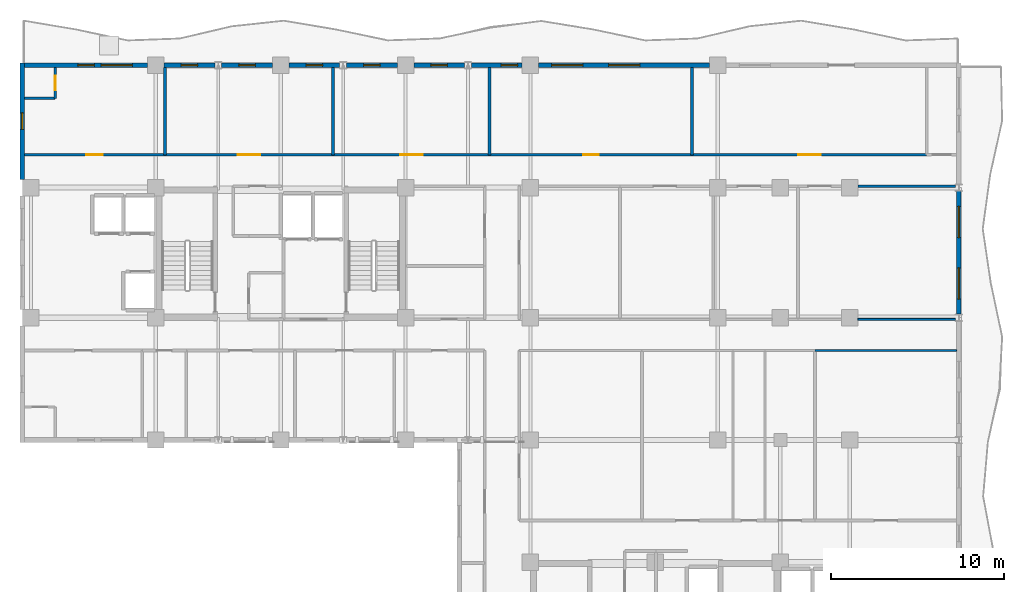
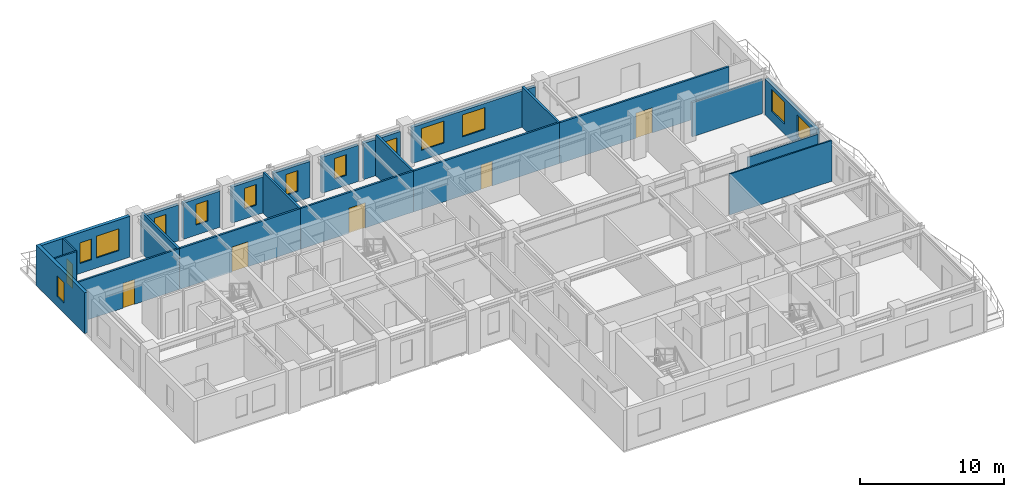
# One storey, part 9 of 13: 24 walls, 13 windows, 6 doors, 19 openings.
"""IFC4 building model written with IfcOpenShell, lengths in metres."""

from ifc_helpers import new_model, si_unit, direction, frame, frame_2d, origin, place, context, subcontext, project, spatial, rectangle, extrude, material, layer, layer_set, type_object, element, fill, save


model = new_model("IFC4")

# Units and contexts
model_context = context("Model", 3, precision=1e-05, world=origin(), true_north=direction((0.0, 1.0)))
body_context = subcontext(model_context, "Body", "Model", "MODEL_VIEW")
ifc_project = project(units=[si_unit("LENGTHUNIT", "METRE"), si_unit("AREAUNIT", "SQUARE_METRE"), si_unit("VOLUMEUNIT", "CUBIC_METRE"), si_unit("PLANEANGLEUNIT", "RADIAN"), si_unit("MASSUNIT", "GRAM", prefix="KILO")], contexts=[model_context])

# Site, building, storey
site_placement = place(None, origin())
site = spatial("IfcSite", under=ifc_project, at=site_placement, CompositionType="ELEMENT")
building_placement = place(site_placement, origin())
building = spatial("IfcBuilding", under=site, at=building_placement, Name="Kaliganga Portal Commons", CompositionType="ELEMENT")
storey_placement = place(building_placement, frame((0.0, 0.0, 212.89990234375)))
storey = spatial("IfcBuildingStorey", under=building, at=storey_placement, Name="L54", CompositionType="ELEMENT", Elevation=212.89990234375)

# Wall, openings, windows
ifc_material_1 = material(Name="Insulated Aluminium-Clad Spandrel Assembly", Category="aluminium")
ifc_layer_1 = layer(ifc_material_1, 0.260009765625)
ifc_layer_set_1 = layer_set([ifc_layer_1], Name="Insulated Aluminium-Clad Spandrel Assembly")
wall_type_1 = type_object("IfcWallType", Name="WL-EXT-SPAND-260", PredefinedType="STANDARD", material=ifc_layer_set_1)
wall_1_placement = place(storey_placement, frame((60.699951171875, 35.948974609375, 0.0), z_axis=(0.0, 0.0, 1.0), x_axis=(0.0, -1.0, 0.0)))
wall_1 = element("IfcWall", 1, at=wall_1_placement, inside=storey, type_object=wall_type_1, Name="Exterior Envelope Wall L54 P1-E01-S5", PredefinedType="STANDARD", context=body_context, shape_type="SweptSolid", body=[
    extrude(rectangle(XDim=7.097900390625, YDim=0.260009765625, at=frame_2d((3.548828125, 0.0))), origin(), (0.0, 0.0, 1.0), 3.050048828125),
])
opening_1_placement = place(wall_1_placement, frame((0.87451171875, 0.0, 0.85009765625)))
opening_1 = element("IfcOpeningElement", 2, at=opening_1_placement, cuts=wall_1, Name="Opening W-01", PredefinedType="OPENING", context=body_context, shape_type="SweptSolid", body=[
    extrude(rectangle(XDim=1.800048828125, YDim=1.85009765625, at=frame_2d((0.89990234375, 0.925048828125))), frame((0.0, 0.14013671875, 0.0), z_axis=(0.0, -1.0, 0.0), x_axis=(1.0, 0.0, 0.0)), (0.0, 0.0, 1.0), 0.280029296875),
])
opening_2_placement = place(wall_1_placement, frame((4.423583984375, 0.0, 0.85009765625)))
opening_2 = element("IfcOpeningElement", 3, at=opening_2_placement, cuts=wall_1, Name="Opening W-01", PredefinedType="OPENING", context=body_context, shape_type="SweptSolid", body=[
    extrude(rectangle(XDim=1.800048828125, YDim=1.85009765625, at=frame_2d((0.89990234375, 0.925048828125))), frame((0.0, 0.14013671875, 0.0), z_axis=(0.0, -1.0, 0.0), x_axis=(1.0, 0.0, 0.0)), (0.0, 0.0, 1.0), 0.280029296875),
])
ifc_material_2 = material(Name="Thermally Broken Aluminium and Low-E Double Glazing", Category="aluminium")
window_type_1 = type_object("IfcWindowType", Name="WIN-STD-1800", PartitioningType="DOUBLE_PANEL_VERTICAL", PredefinedType="WINDOW", material=ifc_material_2)
window_1_placement = place(opening_1_placement, origin())
window_1 = element("IfcWindow", 4, at=window_1_placement, inside=storey, type_object=window_type_1, Name="Facade Window L54-P1E01S5-00", OverallHeight=1.85009765625, OverallWidth=1.800048828125, PartitioningType="SINGLE_PANEL", PredefinedType="WINDOW", context=body_context, shape_type="SweptSolid", body=[
    extrude(rectangle(XDim=1.800048828125, YDim=1.85009765625, at=frame_2d((0.89990234375, 0.925048828125))), frame((0.0, 0.030029296875, 0.0), z_axis=(0.0, -1.0, 0.0), x_axis=(1.0, 0.0, 0.0)), (0.0, 0.0, 1.0), 0.06005859375),
])
fill(opening_1, window_1)
window_2_placement = place(opening_2_placement, origin())
window_2 = element("IfcWindow", 5, at=window_2_placement, inside=storey, type_object=window_type_1, Name="Facade Window L54-P1E01S5-01", OverallHeight=1.85009765625, OverallWidth=1.800048828125, PartitioningType="SINGLE_PANEL", PredefinedType="WINDOW", context=body_context, shape_type="SweptSolid", body=[
    extrude(rectangle(XDim=1.800048828125, YDim=1.85009765625, at=frame_2d((0.89990234375, 0.925048828125))), frame((0.0, 0.030029296875, 0.0), z_axis=(0.0, -1.0, 0.0), x_axis=(1.0, 0.0, 0.0)), (0.0, 0.0, 1.0), 0.06005859375),
])
fill(opening_2, window_2)

wall_2_placement = place(storey_placement, frame((36.47607421875, 43.199951171875, 0.0), z_axis=(0.0, 0.0, 1.0), x_axis=(1.0, 0.0, 0.0)))
wall_2 = element("IfcWall", 6, at=wall_2_placement, inside=storey, type_object=wall_type_1, Name="Exterior Envelope Wall L54 P1-E02-S2", PredefinedType="STANDARD", context=body_context, shape_type="SweptSolid", body=[
    extrude(rectangle(XDim=9.847900390625, YDim=0.260009765625, at=frame_2d((4.923828125, 0.0))), origin(), (0.0, 0.0, 1.0), 3.050048828125),
])
opening_3_placement = place(wall_2_placement, frame((0.7412109375, 0.0, 0.85009765625)))
opening_3 = element("IfcOpeningElement", 7, at=opening_3_placement, cuts=wall_2, Name="Opening W-01", PredefinedType="OPENING", context=body_context, shape_type="SweptSolid", body=[
    extrude(rectangle(XDim=1.800048828125, YDim=1.85009765625, at=frame_2d((0.89990234375, 0.925048828125))), frame((0.0, 0.14013671875, 0.0), z_axis=(0.0, -1.0, 0.0), x_axis=(1.0, 0.0, 0.0)), (0.0, 0.0, 1.0), 0.280029296875),
])
opening_4_placement = place(wall_2_placement, frame((4.02392578125, 0.0, 0.85009765625)))
opening_4 = element("IfcOpeningElement", 8, at=opening_4_placement, cuts=wall_2, Name="Opening W-01", PredefinedType="OPENING", context=body_context, shape_type="SweptSolid", body=[
    extrude(rectangle(XDim=1.800048828125, YDim=1.85009765625, at=frame_2d((0.89990234375, 0.925048828125))), frame((0.0, 0.14013671875, 0.0), z_axis=(0.0, -1.0, 0.0), x_axis=(1.0, 0.0, 0.0)), (0.0, 0.0, 1.0), 0.280029296875),
])
window_3_placement = place(opening_3_placement, origin())
window_3 = element("IfcWindow", 9, at=window_3_placement, inside=storey, type_object=window_type_1, Name="Facade Window L54-P1E02S2-00", OverallHeight=1.85009765625, OverallWidth=1.800048828125, PartitioningType="SINGLE_PANEL", PredefinedType="WINDOW", context=body_context, shape_type="SweptSolid", body=[
    extrude(rectangle(XDim=1.800048828125, YDim=1.85009765625, at=frame_2d((0.89990234375, 0.925048828125))), frame((0.0, 0.030029296875, 0.0), z_axis=(0.0, -1.0, 0.0), x_axis=(1.0, 0.0, 0.0)), (0.0, 0.0, 1.0), 0.06005859375),
])
fill(opening_3, window_3)
window_4_placement = place(opening_4_placement, origin())
window_4 = element("IfcWindow", 10, at=window_4_placement, inside=storey, type_object=window_type_1, Name="Facade Window L54-P1E02S2-01", OverallHeight=1.85009765625, OverallWidth=1.800048828125, PartitioningType="SINGLE_PANEL", PredefinedType="WINDOW", context=body_context, shape_type="SweptSolid", body=[
    extrude(rectangle(XDim=1.800048828125, YDim=1.85009765625, at=frame_2d((0.89990234375, 0.925048828125))), frame((0.0, 0.030029296875, 0.0), z_axis=(0.0, -1.0, 0.0), x_axis=(1.0, 0.0, 0.0)), (0.0, 0.0, 1.0), 0.06005859375),
])
fill(opening_4, window_4)

# Wall, opening, window
wall_3_placement = place(storey_placement, frame((32.6005859375, 43.199951171875, 0.0), z_axis=(0.0, 0.0, 1.0), x_axis=(1.0, 0.0, 0.0)))
wall_3 = element("IfcWall", 11, at=wall_3_placement, inside=storey, type_object=wall_type_1, Name="Exterior Envelope Wall L54 P1-E02-S3", PredefinedType="STANDARD", context=body_context, shape_type="SweptSolid", body=[
    extrude(rectangle(XDim=2.92333984375, YDim=0.260009765625, at=frame_2d((1.461669921875, 0.0))), origin(), (0.0, 0.0, 1.0), 3.050048828125),
])
opening_5_placement = place(wall_3_placement, frame((1.7119140625, 0.0, 0.85009765625)))
opening_5 = element("IfcOpeningElement", 12, at=opening_5_placement, cuts=wall_3, Name="Opening W-04", PredefinedType="OPENING", context=body_context, shape_type="SweptSolid", body=[
    extrude(rectangle(XDim=0.949951171875, YDim=1.75, at=frame_2d((0.47509765625, 0.875))), frame((0.0, 0.14013671875, 0.0), z_axis=(0.0, -1.0, 0.0), x_axis=(1.0, 0.0, 0.0)), (0.0, 0.0, 1.0), 0.280029296875),
])
window_type_2 = type_object("IfcWindowType", Name="WIN-NARROW-950", PartitioningType="SINGLE_PANEL", PredefinedType="WINDOW", material=ifc_material_2)
window_5_placement = place(opening_5_placement, origin())
window_5 = element("IfcWindow", 13, at=window_5_placement, inside=storey, type_object=window_type_2, Name="Facade Window L54-P1E02S3-N2", OverallHeight=1.75, OverallWidth=0.949951171875, PartitioningType="SINGLE_PANEL", PredefinedType="WINDOW", context=body_context, shape_type="SweptSolid", body=[
    extrude(rectangle(XDim=0.949951171875, YDim=1.75, at=frame_2d((0.47509765625, 0.875))), frame((0.0, 0.030029296875, 0.0), z_axis=(0.0, -1.0, 0.0), x_axis=(1.0, 0.0, 0.0)), (0.0, 0.0, 1.0), 0.06005859375),
])
fill(opening_5, window_5)

wall_4_placement = place(storey_placement, frame((29.27587890625, 43.199951171875, 0.0), z_axis=(0.0, 0.0, 1.0), x_axis=(1.0, 0.0, 0.0)))
wall_4 = element("IfcWall", 14, at=wall_4_placement, inside=storey, type_object=wall_type_1, Name="Exterior Envelope Wall L54 P1-E02-S4", PredefinedType="STANDARD", context=body_context, shape_type="SweptSolid", body=[
    extrude(rectangle(XDim=2.923583984375, YDim=0.260009765625, at=frame_2d((1.4619140625, 0.0))), origin(), (0.0, 0.0, 1.0), 3.050048828125),
])
opening_6_placement = place(wall_4_placement, frame((0.98681640625, 0.0, 0.85009765625)))
opening_6 = element("IfcOpeningElement", 15, at=opening_6_placement, cuts=wall_4, Name="Opening W-04", PredefinedType="OPENING", context=body_context, shape_type="SweptSolid", body=[
    extrude(rectangle(XDim=0.949951171875, YDim=1.75, at=frame_2d((0.47509765625, 0.875))), frame((0.0, 0.14013671875, 0.0), z_axis=(0.0, -1.0, 0.0), x_axis=(1.0, 0.0, 0.0)), (0.0, 0.0, 1.0), 0.280029296875),
])
window_6_placement = place(opening_6_placement, origin())
window_6 = element("IfcWindow", 16, at=window_6_placement, inside=storey, type_object=window_type_2, Name="Facade Window L54-P1E02S4-00", OverallHeight=1.75, OverallWidth=0.949951171875, PartitioningType="SINGLE_PANEL", PredefinedType="WINDOW", context=body_context, shape_type="SweptSolid", body=[
    extrude(rectangle(XDim=0.949951171875, YDim=1.75, at=frame_2d((0.47509765625, 0.875))), frame((0.0, 0.030029296875, 0.0), z_axis=(0.0, -1.0, 0.0), x_axis=(1.0, 0.0, 0.0)), (0.0, 0.0, 1.0), 0.06005859375),
])
fill(opening_6, window_6)

wall_5_placement = place(storey_placement, frame((25.400390625, 43.199951171875, 0.0), z_axis=(0.0, 0.0, 1.0), x_axis=(1.0, 0.0, 0.0)))
wall_5 = element("IfcWall", 17, at=wall_5_placement, inside=storey, type_object=wall_type_1, Name="Exterior Envelope Wall L54 P1-E02-S5", PredefinedType="STANDARD", context=body_context, shape_type="SweptSolid", body=[
    extrude(rectangle(XDim=2.923583984375, YDim=0.260009765625, at=frame_2d((1.4619140625, 0.0))), origin(), (0.0, 0.0, 1.0), 3.050048828125),
])
opening_7_placement = place(wall_5_placement, frame((0.98681640625, 0.0, 0.85009765625)))
opening_7 = element("IfcOpeningElement", 18, at=opening_7_placement, cuts=wall_5, Name="Opening W-04", PredefinedType="OPENING", context=body_context, shape_type="SweptSolid", body=[
    extrude(rectangle(XDim=0.949951171875, YDim=1.75, at=frame_2d((0.47509765625, 0.875))), frame((0.0, 0.14013671875, 0.0), z_axis=(0.0, -1.0, 0.0), x_axis=(1.0, 0.0, 0.0)), (0.0, 0.0, 1.0), 0.280029296875),
])
window_7_placement = place(opening_7_placement, origin())
window_7 = element("IfcWindow", 19, at=window_7_placement, inside=storey, type_object=window_type_2, Name="Facade Window L54-P1E02S5-00", OverallHeight=1.75, OverallWidth=0.949951171875, PartitioningType="SINGLE_PANEL", PredefinedType="WINDOW", context=body_context, shape_type="SweptSolid", body=[
    extrude(rectangle(XDim=0.949951171875, YDim=1.75, at=frame_2d((0.47509765625, 0.875))), frame((0.0, 0.030029296875, 0.0), z_axis=(0.0, -1.0, 0.0), x_axis=(1.0, 0.0, 0.0)), (0.0, 0.0, 1.0), 0.06005859375),
])
fill(opening_7, window_7)

wall_6_placement = place(storey_placement, frame((22.075927734375, 43.199951171875, 0.0), z_axis=(0.0, 0.0, 1.0), x_axis=(1.0, 0.0, 0.0)))
wall_6 = element("IfcWall", 20, at=wall_6_placement, inside=storey, type_object=wall_type_1, Name="Exterior Envelope Wall L54 P1-E02-S6", PredefinedType="STANDARD", context=body_context, shape_type="SweptSolid", body=[
    extrude(rectangle(XDim=2.923583984375, YDim=0.260009765625, at=frame_2d((1.4619140625, 0.0))), origin(), (0.0, 0.0, 1.0), 3.050048828125),
])
opening_8_placement = place(wall_6_placement, frame((0.98681640625, 0.0, 0.85009765625)))
opening_8 = element("IfcOpeningElement", 21, at=opening_8_placement, cuts=wall_6, Name="Opening W-04", PredefinedType="OPENING", context=body_context, shape_type="SweptSolid", body=[
    extrude(rectangle(XDim=0.949951171875, YDim=1.75, at=frame_2d((0.47509765625, 0.875))), frame((0.0, 0.14013671875, 0.0), z_axis=(0.0, -1.0, 0.0), x_axis=(1.0, 0.0, 0.0)), (0.0, 0.0, 1.0), 0.280029296875),
])
window_8_placement = place(opening_8_placement, origin())
window_8 = element("IfcWindow", 22, at=window_8_placement, inside=storey, type_object=window_type_2, Name="Facade Window L54-P1E02S6-00", OverallHeight=1.75, OverallWidth=0.949951171875, PartitioningType="SINGLE_PANEL", PredefinedType="WINDOW", context=body_context, shape_type="SweptSolid", body=[
    extrude(rectangle(XDim=0.949951171875, YDim=1.75, at=frame_2d((0.47509765625, 0.875))), frame((0.0, 0.030029296875, 0.0), z_axis=(0.0, -1.0, 0.0), x_axis=(1.0, 0.0, 0.0)), (0.0, 0.0, 1.0), 0.06005859375),
])
fill(opening_8, window_8)

wall_7_placement = place(storey_placement, frame((18.200439453125, 43.199951171875, 0.0), z_axis=(0.0, 0.0, 1.0), x_axis=(1.0, 0.0, 0.0)))
wall_7 = element("IfcWall", 23, at=wall_7_placement, inside=storey, type_object=wall_type_1, Name="Exterior Envelope Wall L54 P1-E02-S7", PredefinedType="STANDARD", context=body_context, shape_type="SweptSolid", body=[
    extrude(rectangle(XDim=2.923583984375, YDim=0.260009765625, at=frame_2d((1.4619140625, 0.0))), origin(), (0.0, 0.0, 1.0), 3.050048828125),
])
opening_9_placement = place(wall_7_placement, frame((0.98681640625, 0.0, 0.85009765625)))
opening_9 = element("IfcOpeningElement", 24, at=opening_9_placement, cuts=wall_7, Name="Opening W-04", PredefinedType="OPENING", context=body_context, shape_type="SweptSolid", body=[
    extrude(rectangle(XDim=0.949951171875, YDim=1.75, at=frame_2d((0.47509765625, 0.875))), frame((0.0, 0.14013671875, 0.0), z_axis=(0.0, -1.0, 0.0), x_axis=(1.0, 0.0, 0.0)), (0.0, 0.0, 1.0), 0.280029296875),
])
window_9_placement = place(opening_9_placement, origin())
window_9 = element("IfcWindow", 25, at=window_9_placement, inside=storey, type_object=window_type_2, Name="Facade Window L54-P1E02S7-00", OverallHeight=1.75, OverallWidth=0.949951171875, PartitioningType="SINGLE_PANEL", PredefinedType="WINDOW", context=body_context, shape_type="SweptSolid", body=[
    extrude(rectangle(XDim=0.949951171875, YDim=1.75, at=frame_2d((0.47509765625, 0.875))), frame((0.0, 0.030029296875, 0.0), z_axis=(0.0, -1.0, 0.0), x_axis=(1.0, 0.0, 0.0)), (0.0, 0.0, 1.0), 0.06005859375),
])
fill(opening_9, window_9)

wall_8_placement = place(storey_placement, frame((14.8759765625, 43.199951171875, 0.0), z_axis=(0.0, 0.0, 1.0), x_axis=(1.0, 0.0, 0.0)))
wall_8 = element("IfcWall", 26, at=wall_8_placement, inside=storey, type_object=wall_type_1, Name="Exterior Envelope Wall L54 P1-E02-S8", PredefinedType="STANDARD", context=body_context, shape_type="SweptSolid", body=[
    extrude(rectangle(XDim=2.923583984375, YDim=0.260009765625, at=frame_2d((1.4619140625, 0.0))), origin(), (0.0, 0.0, 1.0), 3.050048828125),
])
opening_10_placement = place(wall_8_placement, frame((0.98681640625, 0.0, 0.85009765625)))
opening_10 = element("IfcOpeningElement", 27, at=opening_10_placement, cuts=wall_8, Name="Opening W-04", PredefinedType="OPENING", context=body_context, shape_type="SweptSolid", body=[
    extrude(rectangle(XDim=0.949951171875, YDim=1.75, at=frame_2d((0.47509765625, 0.875))), frame((0.0, 0.14013671875, 0.0), z_axis=(0.0, -1.0, 0.0), x_axis=(1.0, 0.0, 0.0)), (0.0, 0.0, 1.0), 0.280029296875),
])
window_10_placement = place(opening_10_placement, origin())
window_10 = element("IfcWindow", 28, at=window_10_placement, inside=storey, type_object=window_type_2, Name="Facade Window L54-P1E02S8-00", OverallHeight=1.75, OverallWidth=0.949951171875, PartitioningType="SINGLE_PANEL", PredefinedType="WINDOW", context=body_context, shape_type="SweptSolid", body=[
    extrude(rectangle(XDim=0.949951171875, YDim=1.75, at=frame_2d((0.47509765625, 0.875))), frame((0.0, 0.030029296875, 0.0), z_axis=(0.0, -1.0, 0.0), x_axis=(1.0, 0.0, 0.0)), (0.0, 0.0, 1.0), 0.06005859375),
])
fill(opening_10, window_10)

# Wall, openings, windows
wall_9_placement = place(storey_placement, frame((6.8349609375, 43.199951171875, 0.0), z_axis=(0.0, 0.0, 1.0), x_axis=(1.0, 0.0, 0.0)))
wall_9 = element("IfcWall", 29, at=wall_9_placement, inside=storey, type_object=wall_type_1, Name="Exterior Envelope Wall L54 P1-E02-S9", PredefinedType="STANDARD", context=body_context, shape_type="SweptSolid", body=[
    extrude(rectangle(XDim=7.089111328125, YDim=0.260009765625, at=frame_2d((3.54443359375, 0.0))), origin(), (0.0, 0.0, 1.0), 3.4501953125),
])
opening_11_placement = place(wall_9_placement, frame((4.416748046875, 0.0, 0.85009765625)))
opening_11 = element("IfcOpeningElement", 30, at=opening_11_placement, cuts=wall_9, Name="Opening W-01", PredefinedType="OPENING", context=body_context, shape_type="SweptSolid", body=[
    extrude(rectangle(XDim=1.800048828125, YDim=1.85009765625, at=frame_2d((0.89990234375, 0.925048828125))), frame((0.0, 0.14013671875, 0.0), z_axis=(0.0, -1.0, 0.0), x_axis=(1.0, 0.0, 0.0)), (0.0, 0.0, 1.0), 0.280029296875),
])
opening_12_placement = place(wall_9_placement, frame((3.069580078125, 0.0, 0.85009765625)))
opening_12 = element("IfcOpeningElement", 31, at=opening_12_placement, cuts=wall_9, Name="Opening W-04", PredefinedType="OPENING", context=body_context, shape_type="SweptSolid", body=[
    extrude(rectangle(XDim=0.949951171875, YDim=1.75, at=frame_2d((0.47509765625, 0.875))), frame((0.0, 0.14013671875, 0.0), z_axis=(0.0, -1.0, 0.0), x_axis=(1.0, 0.0, 0.0)), (0.0, 0.0, 1.0), 0.280029296875),
])
window_11_placement = place(opening_12_placement, origin())
window_11 = element("IfcWindow", 32, at=window_11_placement, inside=storey, type_object=window_type_2, Name="Facade Window L54-P1E02S9-N0", OverallHeight=1.75, OverallWidth=0.949951171875, PartitioningType="SINGLE_PANEL", PredefinedType="WINDOW", context=body_context, shape_type="SweptSolid", body=[
    extrude(rectangle(XDim=0.949951171875, YDim=1.75, at=frame_2d((0.47509765625, 0.875))), frame((0.0, 0.030029296875, 0.0), z_axis=(0.0, -1.0, 0.0), x_axis=(1.0, 0.0, 0.0)), (0.0, 0.0, 1.0), 0.06005859375),
])
fill(opening_12, window_11)
window_12_placement = place(opening_11_placement, origin())
window_12 = element("IfcWindow", 33, at=window_12_placement, inside=storey, type_object=window_type_1, Name="Facade Window L54-P1E02S9-01", OverallHeight=1.85009765625, OverallWidth=1.800048828125, PartitioningType="SINGLE_PANEL", PredefinedType="WINDOW", context=body_context, shape_type="SweptSolid", body=[
    extrude(rectangle(XDim=1.800048828125, YDim=1.85009765625, at=frame_2d((0.89990234375, 0.925048828125))), frame((0.0, 0.030029296875, 0.0), z_axis=(0.0, -1.0, 0.0), x_axis=(1.0, 0.0, 0.0)), (0.0, 0.0, 1.0), 0.06005859375),
])
fill(opening_11, window_12)

# Wall, opening, window
wall_10_placement = place(storey_placement, frame((6.699951171875, 36.6259765625, 0.0), z_axis=(0.0, 0.0, 1.0), x_axis=(0.0, 1.0, 0.0)))
wall_10 = element("IfcWall", 34, at=wall_10_placement, inside=storey, type_object=wall_type_1, Name="Exterior Envelope Wall L54 P1-E03-S1", PredefinedType="STANDARD", context=body_context, shape_type="SweptSolid", body=[
    extrude(rectangle(XDim=6.7041015625, YDim=0.260009765625, at=frame_2d((3.35205078125, 0.0))), origin(), (0.0, 0.0, 1.0), 3.4501953125),
])
opening_13_placement = place(wall_10_placement, frame((2.876953125, 0.0, 0.85009765625)))
opening_13 = element("IfcOpeningElement", 35, at=opening_13_placement, cuts=wall_10, Name="Opening W-04", PredefinedType="OPENING", context=body_context, shape_type="SweptSolid", body=[
    extrude(rectangle(XDim=0.949951171875, YDim=1.75, at=frame_2d((0.47509765625, 0.875))), frame((0.0, 0.14013671875, 0.0), z_axis=(0.0, -1.0, 0.0), x_axis=(1.0, 0.0, 0.0)), (0.0, 0.0, 1.0), 0.280029296875),
])
window_13_placement = place(opening_13_placement, origin())
window_13 = element("IfcWindow", 36, at=window_13_placement, inside=storey, type_object=window_type_2, Name="Facade Window L54-P1E03S1-N0", OverallHeight=1.75, OverallWidth=0.949951171875, PartitioningType="SINGLE_PANEL", PredefinedType="WINDOW", context=body_context, shape_type="SweptSolid", body=[
    extrude(rectangle(XDim=0.949951171875, YDim=1.75, at=frame_2d((0.47509765625, 0.875))), frame((0.0, 0.030029296875, 0.0), z_axis=(0.0, -1.0, 0.0), x_axis=(1.0, 0.0, 0.0)), (0.0, 0.0, 1.0), 0.06005859375),
])
fill(opening_13, window_13)

# Wall, opening, door
ifc_material_3 = material(Name="Fire-Rated Gypsum Board on Steel Stud", Category="steel")
ifc_layer_2 = layer(ifc_material_3, 0.14990234375)
ifc_layer_set_2 = layer_set([ifc_layer_2], Name="Fire-Rated Gypsum Board on Steel Stud")
wall_type_2 = type_object("IfcWallType", Name="WL-PART-CORR-150", PredefinedType="PARTITIONING", material=ifc_layer_set_2)
wall_11_placement = place(storey_placement, frame((45.320068359375, 38.0400390625, 0.0), z_axis=(0.0, 0.0, 1.0), x_axis=(1.0, 0.0, 0.0)))
wall_11 = element("IfcWall", 37, at=wall_11_placement, inside=storey, type_object=wall_type_2, Name="Interior Partition L54-005", PredefinedType="PARTITIONING", context=body_context, shape_type="SweptSolid", body=[
    extrude(rectangle(XDim=13.52001953125, YDim=0.14990234375, at=frame_2d((6.760009765625, 0.0))), origin(), (0.0, 0.0, 1.0), 3.4501953125),
])
opening_14_placement = place(wall_11_placement, frame((6.110107421875, 0.0, 0.0)))
opening_14 = element("IfcOpeningElement", 38, at=opening_14_placement, cuts=wall_11, Name="Opening RD-03", PredefinedType="OPENING", context=body_context, shape_type="SweptSolid", body=[
    extrude(rectangle(XDim=1.300048828125, YDim=2.1201171875, at=frame_2d((0.64990234375, 1.06005859375))), frame((0.0, 0.0849609375, 0.0), z_axis=(0.0, -1.0, 0.0), x_axis=(1.0, 0.0, 0.0)), (0.0, 0.0, 1.0), 0.169921875),
])
ifc_material_4 = material(Name="Glazed Timber Seminar Vision Door", Category="wood")
door_type_1 = type_object("IfcDoorType", Name="DR-STUDY-1300", OperationType="DOUBLE_DOOR_SINGLE_SWING", PredefinedType="DOOR", material=ifc_material_4)
door_1_placement = place(opening_14_placement, origin())
door_1 = element("IfcDoor", 39, at=door_1_placement, inside=storey, type_object=door_type_1, Name="Interior Door L54-AN05", OperationType="DOUBLE_DOOR_SINGLE_SWING", OverallHeight=2.1201171875, OverallWidth=1.300048828125, PredefinedType="DOOR", context=body_context, shape_type="SweptSolid", body=[
    extrude(rectangle(XDim=1.300048828125, YDim=2.1201171875, at=frame_2d((0.64990234375, 1.06005859375))), frame((0.0, 0.02490234375, 0.0), z_axis=(0.0, -1.0, 0.0), x_axis=(1.0, 0.0, 0.0)), (0.0, 0.0, 1.0), 0.050048828125),
])
fill(opening_14, door_1)

wall_12_placement = place(storey_placement, frame((33.639892578125, 38.0400390625, 0.0), z_axis=(0.0, 0.0, 1.0), x_axis=(1.0, 0.0, 0.0)))
wall_12 = element("IfcWall", 40, at=wall_12_placement, inside=storey, type_object=wall_type_2, Name="Interior Partition L54-006", PredefinedType="PARTITIONING", context=body_context, shape_type="SweptSolid", body=[
    extrude(rectangle(XDim=11.68017578125, YDim=0.14990234375, at=frame_2d((5.840087890625, 0.0))), origin(), (0.0, 0.0, 1.0), 3.4501953125),
])
opening_15_placement = place(wall_12_placement, frame((5.389892578125, 0.0, 0.0)))
opening_15 = element("IfcOpeningElement", 41, at=opening_15_placement, cuts=wall_12, Name="Opening RD-01", PredefinedType="OPENING", context=body_context, shape_type="SweptSolid", body=[
    extrude(rectangle(XDim=0.89990234375, YDim=2.080078125, at=frame_2d((0.449951171875, 1.0400390625))), frame((0.0, 0.0849609375, 0.0), z_axis=(0.0, -1.0, 0.0), x_axis=(1.0, 0.0, 0.0)), (0.0, 0.0, 1.0), 0.169921875),
])
ifc_material_5 = material(Name="Engineered Timber Flush Door", Category="wood")
door_type_2 = type_object("IfcDoorType", Name="DR-ROOM-900", OperationType="NOTDEFINED", PredefinedType="DOOR", material=ifc_material_5)
door_2_placement = place(opening_15_placement, origin())
door_2 = element("IfcDoor", 42, at=door_2_placement, inside=storey, type_object=door_type_2, Name="Interior Door L54-AN04", OperationType="SINGLE_SWING_RIGHT", OverallHeight=2.080078125, OverallWidth=0.89990234375, PredefinedType="DOOR", context=body_context, shape_type="SweptSolid", body=[
    extrude(rectangle(XDim=0.89990234375, YDim=2.080078125, at=frame_2d((0.449951171875, 1.0400390625))), frame((0.0, 0.02490234375, 0.0), z_axis=(0.0, -1.0, 0.0), x_axis=(1.0, 0.0, 0.0)), (0.0, 0.0, 1.0), 0.050048828125),
])
fill(opening_15, door_2)

wall_13_placement = place(storey_placement, frame((14.919921875, 38.0400390625, 0.0), z_axis=(0.0, 0.0, 1.0), x_axis=(1.0, 0.0, 0.0)))
wall_13 = element("IfcWall", 43, at=wall_13_placement, inside=storey, type_object=wall_type_2, Name="Interior Partition L54-008", PredefinedType="PARTITIONING", context=body_context, shape_type="SweptSolid", body=[
    extrude(rectangle(XDim=9.7001953125, YDim=0.14990234375, at=frame_2d((4.85009765625, 0.0))), origin(), (0.0, 0.0, 1.0), 3.4501953125),
])
opening_16_placement = place(wall_13_placement, frame((4.199951171875, 0.0, 0.0)))
opening_16 = element("IfcOpeningElement", 44, at=opening_16_placement, cuts=wall_13, Name="Opening RD-03", PredefinedType="OPENING", context=body_context, shape_type="SweptSolid", body=[
    extrude(rectangle(XDim=1.300048828125, YDim=2.1201171875, at=frame_2d((0.64990234375, 1.06005859375))), frame((0.0, 0.0849609375, 0.0), z_axis=(0.0, -1.0, 0.0), x_axis=(1.0, 0.0, 0.0)), (0.0, 0.0, 1.0), 0.169921875),
])
door_3_placement = place(opening_16_placement, origin())
door_3 = element("IfcDoor", 45, at=door_3_placement, inside=storey, type_object=door_type_1, Name="Interior Door L54-AN02", OperationType="DOUBLE_DOOR_SINGLE_SWING", OverallHeight=2.1201171875, OverallWidth=1.300048828125, PredefinedType="DOOR", context=body_context, shape_type="SweptSolid", body=[
    extrude(rectangle(XDim=1.300048828125, YDim=2.1201171875, at=frame_2d((0.64990234375, 1.06005859375))), frame((0.0, 0.02490234375, 0.0), z_axis=(0.0, -1.0, 0.0), x_axis=(1.0, 0.0, 0.0)), (0.0, 0.0, 1.0), 0.050048828125),
])
fill(opening_16, door_3)

# Wall
wall_14_placement = place(storey_placement, frame((54.875, 36.239990234375, 0.0), z_axis=(0.0, 0.0, 1.0), x_axis=(1.0, 0.0, 0.0)))
element("IfcWall", 46, at=wall_14_placement, inside=storey, type_object=wall_type_2, Name="Interior Partition L54-010", PredefinedType="PARTITIONING", context=body_context, shape_type="SweptSolid", body=[
    extrude(rectangle(XDim=5.62548828125, YDim=0.14990234375, at=frame_2d((2.812744140625, 0.0))), origin(), (0.0, 0.0, 1.0), 2.900146484375),
])

# Wall, opening, door
wall_15_placement = place(storey_placement, frame((24.6201171875, 38.0400390625, 0.0), z_axis=(0.0, 0.0, 1.0), x_axis=(1.0, 0.0, 0.0)))
wall_15 = element("IfcWall", 47, at=wall_15_placement, inside=storey, type_object=wall_type_2, Name="Interior Partition L54-011", PredefinedType="PARTITIONING", context=body_context, shape_type="SweptSolid", body=[
    extrude(rectangle(XDim=9.019775390625, YDim=0.14990234375, at=frame_2d((4.509765625, 0.0))), origin(), (0.0, 0.0, 1.0), 3.4501953125),
])
opening_17_placement = place(wall_15_placement, frame((3.860107421875, 0.0, 0.0)))
opening_17 = element("IfcOpeningElement", 48, at=opening_17_placement, cuts=wall_15, Name="Opening RD-03", PredefinedType="OPENING", context=body_context, shape_type="SweptSolid", body=[
    extrude(rectangle(XDim=1.300048828125, YDim=2.1201171875, at=frame_2d((0.64990234375, 1.06005859375))), frame((0.0, 0.0849609375, 0.0), z_axis=(0.0, -1.0, 0.0), x_axis=(1.0, 0.0, 0.0)), (0.0, 0.0, 1.0), 0.169921875),
])
door_4_placement = place(opening_17_placement, origin())
door_4 = element("IfcDoor", 49, at=door_4_placement, inside=storey, type_object=door_type_1, Name="Interior Door L54-AN03", OperationType="DOUBLE_DOOR_SINGLE_SWING", OverallHeight=2.1201171875, OverallWidth=1.300048828125, PredefinedType="DOOR", context=body_context, shape_type="SweptSolid", body=[
    extrude(rectangle(XDim=1.300048828125, YDim=2.1201171875, at=frame_2d((0.64990234375, 1.06005859375))), frame((0.0, 0.02490234375, 0.0), z_axis=(0.0, -1.0, 0.0), x_axis=(1.0, 0.0, 0.0)), (0.0, 0.0, 1.0), 0.050048828125),
])
fill(opening_17, door_4)

wall_16_placement = place(storey_placement, frame((6.83203125, 38.0400390625, 0.0), z_axis=(0.0, 0.0, 1.0), x_axis=(1.0, 0.0, 0.0)))
wall_16 = element("IfcWall", 50, at=wall_16_placement, inside=storey, type_object=wall_type_2, Name="Interior Partition L54-013", PredefinedType="PARTITIONING", context=body_context, shape_type="SweptSolid", body=[
    extrude(rectangle(XDim=8.087890625, YDim=0.14990234375, at=frame_2d((4.0439453125, 0.0))), origin(), (0.0, 0.0, 1.0), 3.4501953125),
])
opening_18_placement = place(wall_16_placement, frame((3.569091796875, 0.0, 0.0)))
opening_18 = element("IfcOpeningElement", 51, at=opening_18_placement, cuts=wall_16, Name="Opening UD-01", PredefinedType="OPENING", context=body_context, shape_type="SweptSolid", body=[
    extrude(rectangle(XDim=0.949951171875, YDim=2.10009765625, at=frame_2d((0.47509765625, 1.050048828125))), frame((0.0, 0.0849609375, 0.0), z_axis=(0.0, -1.0, 0.0), x_axis=(1.0, 0.0, 0.0)), (0.0, 0.0, 1.0), 0.169921875),
])
ifc_material_6 = material(Name="Solid-Core Timber Acoustic Fire Door", Category="wood")
door_type_3 = type_object("IfcDoorType", Name="DR-UNIT-950", OperationType="NOTDEFINED", PredefinedType="DOOR", material=ifc_material_6)
door_5_placement = place(opening_18_placement, origin())
door_5 = element("IfcDoor", 52, at=door_5_placement, inside=storey, type_object=door_type_3, Name="Interior Door L54-AN01", OperationType="SINGLE_SWING_RIGHT", OverallHeight=2.10009765625, OverallWidth=0.949951171875, PredefinedType="DOOR", context=body_context, shape_type="SweptSolid", body=[
    extrude(rectangle(XDim=0.949951171875, YDim=2.10009765625, at=frame_2d((0.47509765625, 1.050048828125))), frame((0.0, 0.02490234375, 0.0), z_axis=(0.0, -1.0, 0.0), x_axis=(1.0, 0.0, 0.0)), (0.0, 0.0, 1.0), 0.050048828125),
])
fill(opening_18, door_5)

# Walls
ifc_material_7 = material(Name="Moisture-Resistant Gypsum Partition", Category="gypsum")
ifc_layer_3 = layer(ifc_material_7, 0.114990234375)
ifc_layer_set_3 = layer_set([ifc_layer_3], Name="Moisture-Resistant Gypsum Partition")
wall_type_3 = type_object("IfcWallType", Name="WL-PART-ROOM-115", PredefinedType="PARTITIONING", material=ifc_layer_set_3)
wall_17_placement = place(storey_placement, frame((54.875, 28.56005859375, 0.0), z_axis=(0.0, 0.0, 1.0), x_axis=(1.0, 0.0, 0.0)))
element("IfcWall", 53, at=wall_17_placement, inside=storey, type_object=wall_type_3, Name="Interior Partition L54-054", PredefinedType="PARTITIONING", context=body_context, shape_type="SweptSolid", body=[
    extrude(rectangle(XDim=5.62548828125, YDim=0.114990234375, at=frame_2d((2.812744140625, 0.0))), origin(), (0.0, 0.0, 1.0), 2.900146484375),
])
wall_18_placement = place(storey_placement, frame((52.39990234375, 26.760009765625, 0.0), z_axis=(0.0, 0.0, 1.0), x_axis=(1.0, 0.0, 0.0)))
element("IfcWall", 54, at=wall_18_placement, inside=storey, type_object=wall_type_3, Name="Interior Partition L54-055", PredefinedType="PARTITIONING", context=body_context, shape_type="SweptSolid", body=[
    extrude(rectangle(XDim=8.168212890625, YDim=0.114990234375, at=frame_2d((4.083984375, 0.0))), origin(), (0.0, 0.0, 1.0), 3.4501953125),
])
ifc_material_8 = material(Name="Twin-Stud Acoustic Gypsum Partition", Category="gypsum")
ifc_layer_4 = layer(ifc_material_8, 0.1650390625)
ifc_layer_set_4 = layer_set([ifc_layer_4], Name="Twin-Stud Acoustic Gypsum Partition")
wall_type_4 = type_object("IfcWallType", Name="WL-PART-UNIT-165", PredefinedType="PARTITIONING", material=ifc_layer_set_4)
for number, where, z_axis, x_axis, name in (
    (55, (14.919921875, 38.0400390625, 0.0), (0.0, 0.0, 1.0), (0.0, 1.0, 0.0), "Interior Partition L54-063"),
    (56, (24.6201171875, 38.0400390625, 0.0), (0.0, 0.0, 1.0), (0.0, 1.0, 0.0), "Interior Partition L54-064"),
    (57, (33.639892578125, 38.0400390625, 0.0), (0.0, 0.0, 1.0), (0.0, 1.0, 0.0), "Interior Partition L54-065"),
    (58, (45.320068359375, 38.0400390625, 0.0), (0.0, 0.0, 1.0), (0.0, 1.0, 0.0), "Interior Partition L54-066"),
):
    element("IfcWall", number, at=place(storey_placement, frame(where, z_axis=z_axis, x_axis=x_axis)), inside=storey, type_object=wall_type_4, Name=name, PredefinedType="PARTITIONING", context=body_context, shape_type="SweptSolid", body=[
        extrude(rectangle(XDim=5.028076171875, YDim=0.1650390625, at=frame_2d((2.51416015625, 0.0))), origin(), (0.0, 0.0, 1.0), 3.4501953125),
    ])

# Wall, opening, door
ifc_material_9 = material(Name="Cement-Board Wet-Room Partition", Category="gypsum")
ifc_layer_5 = layer(ifc_material_9, 0.135009765625)
ifc_layer_set_5 = layer_set([ifc_layer_5], Name="Cement-Board Wet-Room Partition")
wall_type_5 = type_object("IfcWallType", Name="WL-PART-WET-135", PredefinedType="PARTITIONING", material=ifc_layer_set_5)
wall_19_placement = place(storey_placement, frame((8.60009765625, 41.300048828125, 0.0), z_axis=(0.0, 0.0, 1.0), x_axis=(0.0, 1.0, 0.0)))
wall_19 = element("IfcWall", 59, at=wall_19_placement, inside=storey, type_object=wall_type_5, Name="Interior Partition L54-001", PredefinedType="PARTITIONING", context=body_context, shape_type="SweptSolid", body=[
    extrude(rectangle(XDim=1.76806640625, YDim=0.135009765625, at=frame_2d((0.884033203125, 0.0))), origin(), (0.0, 0.0, 1.0), 3.4501953125),
])
opening_19_placement = place(wall_19_placement, frame((0.458984375, 0.0, 0.0)))
opening_19 = element("IfcOpeningElement", 60, at=opening_19_placement, cuts=wall_19, Name="Opening WD-01", PredefinedType="OPENING", context=body_context, shape_type="SweptSolid", body=[
    extrude(rectangle(XDim=0.85009765625, YDim=2.0400390625, at=frame_2d((0.425048828125, 1.02001953125))), frame((0.0, 0.07763671875, 0.0), z_axis=(0.0, -1.0, 0.0), x_axis=(1.0, 0.0, 0.0)), (0.0, 0.0, 1.0), 0.155029296875),
])
ifc_material_10 = material(Name="Moisture-Resistant Laminate Timber Door", Category="wood")
door_type_4 = type_object("IfcDoorType", Name="DR-WET-850", OperationType="NOTDEFINED", PredefinedType="DOOR", material=ifc_material_10)
door_6_placement = place(opening_19_placement, origin())
door_6 = element("IfcDoor", 61, at=door_6_placement, inside=storey, type_object=door_type_4, Name="Interior Door L54-AN01E", OperationType="SINGLE_SWING_LEFT", OverallHeight=2.0400390625, OverallWidth=0.85009765625, PredefinedType="DOOR", context=body_context, shape_type="SweptSolid", body=[
    extrude(rectangle(XDim=0.85009765625, YDim=2.0400390625, at=frame_2d((0.425048828125, 1.02001953125))), frame((0.0, 0.02490234375, 0.0), z_axis=(0.0, -1.0, 0.0), x_axis=(1.0, 0.0, 0.0)), (0.0, 0.0, 1.0), 0.050048828125),
])
fill(opening_19, door_6)

# Wall
wall_20_placement = place(storey_placement, frame((6.83203125, 41.300048828125, 0.0), z_axis=(0.0, 0.0, 1.0), x_axis=(1.0, 0.0, 0.0)))
element("IfcWall", 62, at=wall_20_placement, inside=storey, type_object=wall_type_5, Name="Interior Partition L54-003", PredefinedType="PARTITIONING", context=body_context, shape_type="SweptSolid", body=[
    extrude(rectangle(XDim=1.76806640625, YDim=0.135009765625, at=frame_2d((0.884033203125, 0.0))), origin(), (0.0, 0.0, 1.0), 3.4501953125),
])

save(model, "model.ifc")
